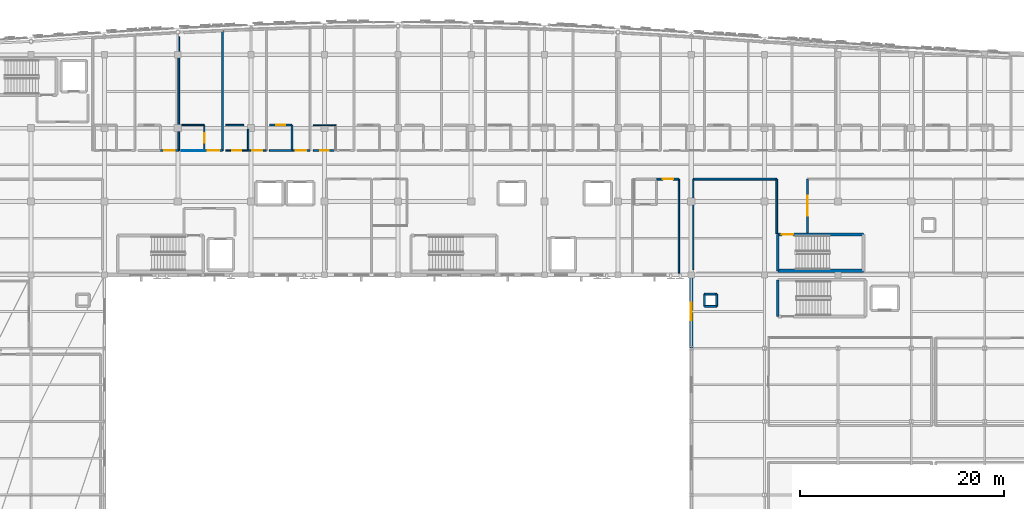
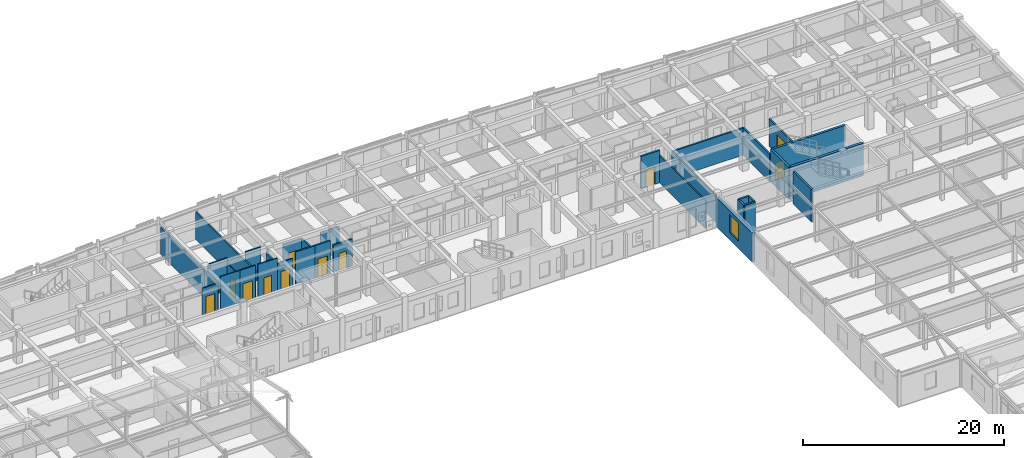
# One storey, part 94 of 113: 32 walls, 11 doors, 1 window, 12 openings.
"""IFC4 building model written with IfcOpenShell, lengths in metres."""

from ifc_helpers import new_model, si_unit, direction, frame, frame_2d, origin, place, context, subcontext, project, spatial, rectangle, extrude, material, layer, layer_set, type_object, element, fill, save


model = new_model("IFC4")

# Units and contexts
model_context = context("Model", 3, precision=1e-05, world=origin(), true_north=direction((0.0, 1.0)))
body_context = subcontext(model_context, "Body", "Model", "MODEL_VIEW")
ifc_project = project(units=[si_unit("LENGTHUNIT", "METRE"), si_unit("AREAUNIT", "SQUARE_METRE"), si_unit("VOLUMEUNIT", "CUBIC_METRE"), si_unit("PLANEANGLEUNIT", "RADIAN"), si_unit("MASSUNIT", "GRAM", prefix="KILO")], contexts=[model_context])

# Site, building, storey
site_placement = place(None, origin())
site = spatial("IfcSite", under=ifc_project, at=site_placement, CompositionType="ELEMENT")
building_placement = place(site_placement, origin())
building = spatial("IfcBuilding", under=site, at=building_placement, Name="Carrowvane Square Congress Hotel", CompositionType="ELEMENT")
storey_placement = place(building_placement, frame((0.0, 0.0, 15.0)))
storey = spatial("IfcBuildingStorey", under=building, at=storey_placement, Name="L03", CompositionType="ELEMENT", Elevation=15.0)

# Wall, opening, window
ifc_material_1 = material(Name="Glazed terracotta rainscreen", Category="masonry")
ifc_layer_1 = layer(ifc_material_1, 0.360107421875)
ifc_layer_set_1 = layer_set([ifc_layer_1], Name="Glazed terracotta rainscreen")
wall_type_1 = type_object("IfcWallType", Name="WL-EXT-TC360", PredefinedType="STANDARD", material=ifc_layer_set_1)
wall_1_placement = place(storey_placement, frame((126.800048828125, 84.60009765625, 0.0), z_axis=(0.0, 0.0, 1.0), x_axis=(0.0, 1.0, 0.0)))
wall_1 = element("IfcWall", 1, at=wall_1_placement, inside=storey, type_object=wall_type_1, Name="L03 exterior facade wall 390", PredefinedType="STANDARD", context=body_context, shape_type="SweptSolid", body=[
    extrude(rectangle(XDim=7.199951171875, YDim=0.360107421875, at=frame_2d((3.60009765625, 0.0))), origin(), (0.0, 0.0, 1.0), 3.515625),
])
opening_1_placement = place(wall_1_placement, frame((2.72509765625, 0.0, 0.89990234375)))
opening_1 = element("IfcOpeningElement", 2, at=opening_1_placement, cuts=wall_1, Name="Opening W-34", PredefinedType="OPENING", context=body_context, shape_type="SweptSolid", body=[
    extrude(rectangle(XDim=1.75, YDim=2.199951171875, at=frame_2d((0.875, 1.10009765625))), frame((0.0, 0.18994140625, 0.0), z_axis=(0.0, -1.0, 0.0), x_axis=(1.0, 0.0, 0.0)), (0.0, 0.0, 1.0), 0.380126953125),
])
ifc_material_2 = material(Name="Double-glazed low-E glass", Category="glass")
window_type = type_object("IfcWindowType", Name="WIN-34", PartitioningType="SINGLE_PANEL", PredefinedType="WINDOW", material=ifc_material_2)
window_placement = place(opening_1_placement, origin())
window = element("IfcWindow", 3, at=window_placement, inside=storey, type_object=window_type, Name="L03 facade window 211", OverallHeight=2.199951171875, OverallWidth=1.75, PartitioningType="SINGLE_PANEL", PredefinedType="WINDOW", context=body_context, shape_type="SweptSolid", body=[
    extrude(rectangle(XDim=1.75, YDim=2.199951171875, at=frame_2d((0.875, 1.10009765625))), frame((0.0, 0.030029296875, 0.0), z_axis=(0.0, -1.0, 0.0), x_axis=(1.0, 0.0, 0.0)), (0.0, 0.0, 1.0), 0.06005859375),
])
fill(opening_1, window)

# Wall, opening, door
ifc_material_3 = material(Name="Acoustic gypsum board", Category="gypsum")
ifc_layer_2 = layer(ifc_material_3, 0.155029296875)
ifc_layer_set_2 = layer_set([ifc_layer_2], Name="Acoustic gypsum board")
wall_type_2 = type_object("IfcWallType", Name="WL-FIR-155", PredefinedType="PARTITIONING", material=ifc_layer_set_2)
wall_2_placement = place(storey_placement, frame((138.2099609375, 95.929931640625, 0.0), z_axis=(0.0, 0.0, 1.0), x_axis=(0.0, 1.0, 0.0)))
wall_2 = element("IfcWall", 4, at=wall_2_placement, inside=storey, type_object=wall_type_2, Name="L03 L03 East Delegate Linen and Service Room partition", PredefinedType="PARTITIONING", context=body_context, shape_type="SweptSolid", body=[
    extrude(rectangle(XDim=5.27001953125, YDim=0.155029296875, at=frame_2d((2.635009765625, 0.0))), origin(), (0.0, 0.0, 1.0), 3.324951171875),
])
opening_2_placement = place(wall_2_placement, frame((1.659912109375, 0.0, 0.0)))
opening_2 = element("IfcOpeningElement", 5, at=opening_2_placement, cuts=wall_2, Name="Opening ID-14", PredefinedType="OPENING", context=body_context, shape_type="SweptSolid", body=[
    extrude(rectangle(XDim=1.949951171875, YDim=2.35009765625, at=frame_2d((0.97509765625, 1.175048828125))), frame((0.0, 0.08740234375, 0.0), z_axis=(0.0, -1.0, 0.0), x_axis=(1.0, 0.0, 0.0)), (0.0, 0.0, 1.0), 0.175048828125),
])
ifc_material_4 = material(Name="European oak timber", Category="wood")
door_type_1 = type_object("IfcDoorType", Name="DR-INT-1950x2350", OperationType="DOUBLE_DOOR_SINGLE_SWING", PredefinedType="DOOR", material=ifc_material_4)
door_1_placement = place(opening_2_placement, origin())
door_1 = element("IfcDoor", 6, at=door_1_placement, inside=storey, type_object=door_type_1, Name="L03 L03 East Delegate Linen and Service Room entrance door", OperationType="DOUBLE_DOOR_SINGLE_SWING", OverallHeight=2.35009765625, OverallWidth=1.949951171875, PredefinedType="DOOR", context=body_context, shape_type="SweptSolid", body=[
    extrude(rectangle(XDim=1.949951171875, YDim=2.35009765625, at=frame_2d((0.97509765625, 1.175048828125))), frame((0.0, 0.02490234375, 0.0), z_axis=(0.0, -1.0, 0.0), x_axis=(1.0, 0.0, 0.0)), (0.0, 0.0, 1.0), 0.050048828125),
])
fill(opening_2, door_1)

wall_3_placement = place(storey_placement, frame((80.7900390625, 104.0, 0.0), z_axis=(0.0, 0.0, 1.0), x_axis=(-1.0, 0.0, 0.0)))
wall_3 = element("IfcWall", 7, at=wall_3_placement, inside=storey, type_object=wall_type_2, Name="L03 Parkview Guest Bedroom 0307 partition", PredefinedType="PARTITIONING", context=body_context, shape_type="SweptSolid", body=[
    extrude(rectangle(XDim=1.780029296875, YDim=0.155029296875, at=frame_2d((0.89013671875, 0.0))), origin(), (0.0, 0.0, 1.0), 3.93994140625),
])
opening_3_placement = place(wall_3_placement, frame((0.330078125, 0.0, 0.0)))
opening_3 = element("IfcOpeningElement", 8, at=opening_3_placement, cuts=wall_3, Name="Opening FD-10", PredefinedType="OPENING", context=body_context, shape_type="SweptSolid", body=[
    extrude(rectangle(XDim=1.1201171875, YDim=2.199951171875, at=frame_2d((0.56005859375, 1.10009765625))), frame((0.0, 0.08740234375, 0.0), z_axis=(0.0, -1.0, 0.0), x_axis=(1.0, 0.0, 0.0)), (0.0, 0.0, 1.0), 0.175048828125),
])
ifc_material_5 = material(Name="European oak timber", Category="wood")
door_type_2 = type_object("IfcDoorType", Name="DR-FD30-1120x2200", OperationType="NOTDEFINED", PredefinedType="DOOR", material=ifc_material_5)
door_2_placement = place(opening_3_placement, origin())
door_2 = element("IfcDoor", 9, at=door_2_placement, inside=storey, type_object=door_type_2, Name="L03 Parkview Guest Bedroom 0307 entrance door", OperationType="SINGLE_SWING_RIGHT", OverallHeight=2.199951171875, OverallWidth=1.1201171875, PredefinedType="DOOR", context=body_context, shape_type="SweptSolid", body=[
    extrude(rectangle(XDim=1.1201171875, YDim=2.199951171875, at=frame_2d((0.56005859375, 1.10009765625))), frame((0.0, 0.02490234375, 0.0), z_axis=(0.0, -1.0, 0.0), x_axis=(1.0, 0.0, 0.0)), (0.0, 0.0, 1.0), 0.050048828125),
])
fill(opening_3, door_2)

# Walls
wall_4_placement = place(storey_placement, frame((87.60009765625, 104.0, 0.0), z_axis=(0.0, 0.0, 1.0), x_axis=(-1.0, 0.0, 0.0)))
element("IfcWall", 10, at=wall_4_placement, inside=storey, type_object=wall_type_2, Name="L03 En-suite Bathroom 0309 partition", PredefinedType="PARTITIONING", context=body_context, shape_type="SweptSolid", body=[
    extrude(rectangle(XDim=2.2001953125, YDim=0.155029296875, at=frame_2d((1.10009765625, 0.0))), origin(), (0.0, 0.0, 1.0), 3.93994140625),
])
ifc_material_6 = material(Name="Acoustic gypsum board", Category="gypsum")
ifc_layer_3 = layer(ifc_material_6, 0.169921875)
ifc_layer_set_3 = layer_set([ifc_layer_3], Name="Acoustic gypsum board")
wall_type_3 = type_object("IfcWallType", Name="WL-FIR-170", PredefinedType="PARTITIONING", material=ifc_layer_set_3)
wall_5_placement = place(storey_placement, frame((135.18994140625, 101.199951171875, 0.0), z_axis=(0.0, 0.0, 1.0), x_axis=(0.000636913569, -0.999999797171, 0.0)))
element("IfcWall", 11, at=wall_5_placement, inside=storey, type_object=wall_type_3, Name="L03 L03 East Delegate Linen and Service Room partition", PredefinedType="PARTITIONING", context=body_context, shape_type="SweptSolid", body=[
    extrude(rectangle(XDim=5.366455078125, YDim=0.169921875, at=frame_2d((2.68310546875, 0.0))), origin(), (0.0, 0.0, 1.0), 3.324951171875),
])

# Wall, opening, door
wall_6_placement = place(storey_placement, frame((76.489990234375, 104.0, 0.0), z_axis=(0.0, 0.0, 1.0), x_axis=(-1.0, 0.0, 0.0)))
wall_6 = element("IfcWall", 12, at=wall_6_placement, inside=storey, type_object=wall_type_3, Name="L03 Parkview Guest Bedroom 0306 partition", PredefinedType="PARTITIONING", context=body_context, shape_type="SweptSolid", body=[
    extrude(rectangle(XDim=1.780029296875, YDim=0.169921875, at=frame_2d((0.89013671875, 0.0))), origin(), (0.0, 0.0, 1.0), 3.27490234375),
])
opening_4_placement = place(wall_6_placement, frame((0.3798828125, 0.0, 0.0)))
opening_4 = element("IfcOpeningElement", 13, at=opening_4_placement, cuts=wall_6, Name="Opening FD-08", PredefinedType="OPENING", context=body_context, shape_type="SweptSolid", body=[
    extrude(rectangle(XDim=1.02001953125, YDim=2.14990234375, at=frame_2d((0.510009765625, 1.074951171875))), frame((0.0, 0.094970703125, 0.0), z_axis=(0.0, -1.0, 0.0), x_axis=(1.0, 0.0, 0.0)), (0.0, 0.0, 1.0), 0.18994140625),
])
ifc_material_7 = material(Name="European oak timber", Category="wood")
door_type_3 = type_object("IfcDoorType", Name="DR-FD30-1020x2150", OperationType="NOTDEFINED", PredefinedType="DOOR", material=ifc_material_7)
door_3_placement = place(opening_4_placement, origin())
door_3 = element("IfcDoor", 14, at=door_3_placement, inside=storey, type_object=door_type_3, Name="L03 Parkview Guest Bedroom 0306 entrance door", OperationType="SINGLE_SWING_RIGHT", OverallHeight=2.14990234375, OverallWidth=1.02001953125, PredefinedType="DOOR", context=body_context, shape_type="SweptSolid", body=[
    extrude(rectangle(XDim=1.02001953125, YDim=2.14990234375, at=frame_2d((0.510009765625, 1.074951171875))), frame((0.0, 0.02490234375, 0.0), z_axis=(0.0, -1.0, 0.0), x_axis=(1.0, 0.0, 0.0)), (0.0, 0.0, 1.0), 0.050048828125),
])
fill(opening_4, door_3)

# Walls
wall_7_placement = place(storey_placement, frame((80.7900390625, 115.759033203125, 0.0), z_axis=(0.0, 0.0, 1.0), x_axis=(0.0, -1.0, 0.0)))
element("IfcWall", 15, at=wall_7_placement, inside=storey, type_object=wall_type_3, Name="L03 Parkview Guest Bedroom 0307 partition", PredefinedType="PARTITIONING", context=body_context, shape_type="SweptSolid", body=[
    extrude(rectangle(XDim=11.759033203125, YDim=0.169921875, at=frame_2d((5.87939453125, 0.0))), origin(), (0.0, 0.0, 1.0), 3.324951171875),
])
wall_8_placement = place(storey_placement, frame((87.60009765625, 106.5, 0.0), z_axis=(0.0, 0.0, 1.0), x_axis=(0.0, -1.0, 0.0)))
element("IfcWall", 16, at=wall_8_placement, inside=storey, type_object=wall_type_3, Name="L03 En-suite Bathroom 0309 partition", PredefinedType="PARTITIONING", context=body_context, shape_type="SweptSolid", body=[
    extrude(rectangle(XDim=2.5, YDim=0.169921875, at=frame_2d((1.25, 0.0))), origin(), (0.0, 0.0, 1.0), 3.324951171875),
])
ifc_material_8 = material(Name="Acoustic gypsum board", Category="gypsum")
ifc_layer_4 = layer(ifc_material_8, 0.18505859375)
ifc_layer_set_4 = layer_set([ifc_layer_4], Name="Acoustic gypsum board")
wall_type_4 = type_object("IfcWallType", Name="WL-FIR-185", PredefinedType="PARTITIONING", material=ifc_layer_set_4)
wall_9_placement = place(storey_placement, frame((127.0, 101.199951171875, 0.0), z_axis=(0.0, 0.0, 1.0), x_axis=(1.0, 0.0, 0.0)))
element("IfcWall", 17, at=wall_9_placement, inside=storey, type_object=wall_type_4, Name="L03 L03 East Delegate Linen and Service Room partition", PredefinedType="PARTITIONING", context=body_context, shape_type="SweptSolid", body=[
    extrude(rectangle(XDim=8.18994140625, YDim=0.18505859375, at=frame_2d((4.094970703125, 0.0))), origin(), (0.0, 0.0, 1.0), 3.27490234375),
])

# Wall, opening, door
wall_10_placement = place(storey_placement, frame((123.409912109375, 101.199951171875, 0.0), z_axis=(0.0, 0.0, 1.0), x_axis=(1.0, 0.0, 0.0)))
wall_10 = element("IfcWall", 18, at=wall_10_placement, inside=storey, type_object=wall_type_4, Name="L03 Hotel Guest Bedroom 0301 partition", PredefinedType="PARTITIONING", context=body_context, shape_type="SweptSolid", body=[
    extrude(rectangle(XDim=2.18017578125, YDim=0.18505859375, at=frame_2d((1.090087890625, 0.0))), origin(), (0.0, 0.0, 1.0), 3.93994140625),
])
opening_5_placement = place(wall_10_placement, frame((0.580078125, 0.0, 0.0)))
opening_5 = element("IfcOpeningElement", 19, at=opening_5_placement, cuts=wall_10, Name="Opening FD-08", PredefinedType="OPENING", context=body_context, shape_type="SweptSolid", body=[
    extrude(rectangle(XDim=1.02001953125, YDim=2.14990234375, at=frame_2d((0.510009765625, 1.074951171875))), frame((0.0, 0.1025390625, 0.0), z_axis=(0.0, -1.0, 0.0), x_axis=(1.0, 0.0, 0.0)), (0.0, 0.0, 1.0), 0.205078125),
])
door_4_placement = place(opening_5_placement, origin())
door_4 = element("IfcDoor", 20, at=door_4_placement, inside=storey, type_object=door_type_3, Name="L03 Hotel Guest Bedroom 0301 entrance door", OperationType="SINGLE_SWING_RIGHT", OverallHeight=2.14990234375, OverallWidth=1.02001953125, PredefinedType="DOOR", context=body_context, shape_type="SweptSolid", body=[
    extrude(rectangle(XDim=1.02001953125, YDim=2.14990234375, at=frame_2d((0.510009765625, 1.074951171875))), frame((0.0, 0.02490234375, 0.0), z_axis=(0.0, -1.0, 0.0), x_axis=(1.0, 0.0, 0.0)), (0.0, 0.0, 1.0), 0.050048828125),
])
fill(opening_5, door_4)

# Wall
wall_11_placement = place(storey_placement, frame((76.489990234375, 115.192138671875, 0.0), z_axis=(0.0, 0.0, 1.0), x_axis=(0.0, -1.0, 0.0)))
element("IfcWall", 21, at=wall_11_placement, inside=storey, type_object=wall_type_4, Name="L03 Parkview Guest Bedroom 0306 partition", PredefinedType="PARTITIONING", context=body_context, shape_type="SweptSolid", body=[
    extrude(rectangle(XDim=11.192138671875, YDim=0.18505859375, at=frame_2d((5.59619140625, 0.0))), origin(), (0.0, 0.0, 1.0), 3.27490234375),
])

# Wall, opening, door
wall_12_placement = place(storey_placement, frame((85.39990234375, 106.5, 0.0), z_axis=(0.0, 0.0, 1.0), x_axis=(1.0, 0.0, 0.0)))
wall_12 = element("IfcWall", 22, at=wall_12_placement, inside=storey, type_object=wall_type_4, Name="L03 En-suite Bathroom 0309 partition", PredefinedType="PARTITIONING", context=body_context, shape_type="SweptSolid", body=[
    extrude(rectangle(XDim=2.2001953125, YDim=0.18505859375, at=frame_2d((1.10009765625, 0.0))), origin(), (0.0, 0.0, 1.0), 3.324951171875),
])
opening_6_placement = place(wall_12_placement, frame((0.64501953125, 0.0, 0.0)))
opening_6 = element("IfcOpeningElement", 23, at=opening_6_placement, cuts=wall_12, Name="Opening ID-17", PredefinedType="OPENING", context=body_context, shape_type="SweptSolid", body=[
    extrude(rectangle(XDim=0.909912109375, YDim=2.110107421875, at=frame_2d((0.455078125, 1.05517578125))), frame((0.0, 0.1025390625, 0.0), z_axis=(0.0, -1.0, 0.0), x_axis=(1.0, 0.0, 0.0)), (0.0, 0.0, 1.0), 0.205078125),
])
ifc_material_9 = material(Name="European oak timber", Category="wood")
door_type_4 = type_object("IfcDoorType", Name="DR-INT-0910x2110", OperationType="NOTDEFINED", PredefinedType="DOOR", material=ifc_material_9)
door_5_placement = place(opening_6_placement, origin())
door_5 = element("IfcDoor", 24, at=door_5_placement, inside=storey, type_object=door_type_4, Name="L03 En-suite Bathroom 0309 door", OperationType="SINGLE_SWING_LEFT", OverallHeight=2.110107421875, OverallWidth=0.909912109375, PredefinedType="DOOR", context=body_context, shape_type="SweptSolid", body=[
    extrude(rectangle(XDim=0.909912109375, YDim=2.110107421875, at=frame_2d((0.455078125, 1.05517578125))), frame((0.0, 0.02490234375, 0.0), z_axis=(0.0, -1.0, 0.0), x_axis=(1.0, 0.0, 0.0)), (0.0, 0.0, 1.0), 0.050048828125),
])
fill(opening_6, door_5)

wall_13_placement = place(storey_placement, frame((89.389892578125, 104.0, 0.0), z_axis=(0.0, 0.0, 1.0), x_axis=(-1.0, 0.0, 0.0)))
wall_13 = element("IfcWall", 25, at=wall_13_placement, inside=storey, type_object=wall_type_4, Name="L03 Parkview Guest Bedroom 0309 partition", PredefinedType="PARTITIONING", context=body_context, shape_type="SweptSolid", body=[
    extrude(rectangle(XDim=1.77978515625, YDim=0.18505859375, at=frame_2d((0.889892578125, 0.0))), origin(), (0.0, 0.0, 1.0), 3.93994140625),
])
opening_7_placement = place(wall_13_placement, frame((0.360107421875, 0.0, 0.0)))
opening_7 = element("IfcOpeningElement", 26, at=opening_7_placement, cuts=wall_13, Name="Opening FD-09", PredefinedType="OPENING", context=body_context, shape_type="SweptSolid", body=[
    extrude(rectangle(XDim=1.06005859375, YDim=2.199951171875, at=frame_2d((0.530029296875, 1.10009765625))), frame((0.0, 0.1025390625, 0.0), z_axis=(0.0, -1.0, 0.0), x_axis=(1.0, 0.0, 0.0)), (0.0, 0.0, 1.0), 0.205078125),
])
ifc_material_10 = material(Name="European oak timber", Category="wood")
door_type_5 = type_object("IfcDoorType", Name="DR-FD30-1060x2200", OperationType="NOTDEFINED", PredefinedType="DOOR", material=ifc_material_10)
door_6_placement = place(opening_7_placement, origin())
door_6 = element("IfcDoor", 27, at=door_6_placement, inside=storey, type_object=door_type_5, Name="L03 Parkview Guest Bedroom 0309 entrance door", OperationType="SINGLE_SWING_RIGHT", OverallHeight=2.199951171875, OverallWidth=1.06005859375, PredefinedType="DOOR", context=body_context, shape_type="SweptSolid", body=[
    extrude(rectangle(XDim=1.06005859375, YDim=2.199951171875, at=frame_2d((0.530029296875, 1.10009765625))), frame((0.0, 0.02490234375, 0.0), z_axis=(0.0, -1.0, 0.0), x_axis=(1.0, 0.0, 0.0)), (0.0, 0.0, 1.0), 0.050048828125),
])
fill(opening_7, door_6)

wall_14_placement = place(storey_placement, frame((91.89990234375, 104.0, 0.0), z_axis=(0.0, 0.0, 1.0), x_axis=(-1.0, 0.0, 0.0)))
wall_14 = element("IfcWall", 28, at=wall_14_placement, inside=storey, type_object=wall_type_4, Name="L03 En-suite Bathroom 0310 partition", PredefinedType="PARTITIONING", context=body_context, shape_type="SweptSolid", body=[
    extrude(rectangle(XDim=2.199951171875, YDim=0.18505859375, at=frame_2d((1.10009765625, 0.0))), origin(), (0.0, 0.0, 1.0), 3.27490234375),
])
opening_8_placement = place(wall_14_placement, frame((0.659912109375, 0.0, 0.0)))
opening_8 = element("IfcOpeningElement", 29, at=opening_8_placement, cuts=wall_14, Name="Opening ID-01", PredefinedType="OPENING", context=body_context, shape_type="SweptSolid", body=[
    extrude(rectangle(XDim=0.8798828125, YDim=2.06005859375, at=frame_2d((0.43994140625, 1.030029296875))), frame((0.0, 0.1025390625, 0.0), z_axis=(0.0, -1.0, 0.0), x_axis=(1.0, 0.0, 0.0)), (0.0, 0.0, 1.0), 0.205078125),
])
ifc_material_11 = material(Name="European oak timber", Category="wood")
door_type_6 = type_object("IfcDoorType", Name="DR-INT-0880x2060", OperationType="NOTDEFINED", PredefinedType="DOOR", material=ifc_material_11)
door_7_placement = place(opening_8_placement, origin())
door_7 = element("IfcDoor", 30, at=door_7_placement, inside=storey, type_object=door_type_6, Name="L03 En-suite Bathroom 0310 door", OperationType="SINGLE_SWING_LEFT", OverallHeight=2.06005859375, OverallWidth=0.8798828125, PredefinedType="DOOR", context=body_context, shape_type="SweptSolid", body=[
    extrude(rectangle(XDim=0.8798828125, YDim=2.06005859375, at=frame_2d((0.43994140625, 1.030029296875))), frame((0.0, 0.02490234375, 0.0), z_axis=(0.0, -1.0, 0.0), x_axis=(1.0, 0.0, 0.0)), (0.0, 0.0, 1.0), 0.050048828125),
])
fill(opening_8, door_7)

# Walls
ifc_material_12 = material(Name="Standing-seam zinc cladding", Category="metal")
ifc_layer_5 = layer(ifc_material_12, 0.195068359375)
ifc_layer_set_5 = layer_set([ifc_layer_5], Name="Standing-seam zinc cladding")
wall_type_5 = type_object("IfcWallType", Name="WL-PAR-195", PredefinedType="PARAPET", material=ifc_layer_set_5)
for number, where, z_axis, x_axis, name in (
    (31, (128.10009765625, 88.699951171875, 0.0), (0.0, 0.0, 1.0), (1.0, 0.0, 0.0), "L03 service riser RSR-V3 enclosure S"),
    (32, (129.300048828125, 88.699951171875, 0.0), (0.0, 0.0, 1.0), (0.0, 1.0, 0.0), "L03 service riser RSR-V3 enclosure E"),
    (33, (129.300048828125, 89.89990234375, 0.0), (0.0, 0.0, 1.0), (-1.0, 0.0, 0.0), "L03 service riser RSR-V3 enclosure N"),
    (34, (128.10009765625, 89.89990234375, 0.0), (0.0, 0.0, 1.0), (0.0, -1.0, 0.0), "L03 service riser RSR-V3 enclosure W"),
):
    element("IfcWall", number, at=place(storey_placement, frame(where, z_axis=z_axis, x_axis=x_axis)), inside=storey, type_object=wall_type_5, Name=name, PredefinedType="PARAPET", context=body_context, shape_type="SweptSolid", body=[
        extrude(rectangle(XDim=1.199951171875, YDim=0.195068359375, at=frame_2d((0.60009765625, 0.0))), origin(), (0.0, 0.0, 1.0), 3.93994140625),
    ])
ifc_material_13 = material(Name="Acoustic gypsum board", Category="gypsum")
ifc_layer_6 = layer(ifc_material_13, 0.097900390625)
ifc_layer_set_6 = layer_set([ifc_layer_6], Name="Acoustic gypsum board")
wall_type_6 = type_object("IfcWallType", Name="WL-PRT-098", PredefinedType="PARTITIONING", material=ifc_layer_set_6)
wall_15_placement = place(storey_placement, frame((79.0, 104.0, 0.0), z_axis=(0.0, 0.0, 1.0), x_axis=(-1.0, 0.0, 0.0)))
element("IfcWall", 35, at=wall_15_placement, inside=storey, type_object=wall_type_6, Name="L03 En-suite Bathroom 0307 partition", PredefinedType="PARTITIONING", context=body_context, shape_type="SweptSolid", body=[
    extrude(rectangle(XDim=2.199951171875, YDim=0.097900390625, at=frame_2d((1.10009765625, 0.0))), origin(), (0.0, 0.0, 1.0), 3.93994140625),
])

# Wall, opening, door
ifc_material_14 = material(Name="Acoustic gypsum board", Category="gypsum")
ifc_layer_7 = layer(ifc_material_14, 0.10791015625)
ifc_layer_set_7 = layer_set([ifc_layer_7], Name="Acoustic gypsum board")
wall_type_7 = type_object("IfcWallType", Name="WL-PRT-108", PredefinedType="PARTITIONING", material=ifc_layer_set_7)
wall_16_placement = place(storey_placement, frame((79.0, 106.5, 0.0), z_axis=(0.0, 0.0, 1.0), x_axis=(0.0, -1.0, 0.0)))
wall_16 = element("IfcWall", 36, at=wall_16_placement, inside=storey, type_object=wall_type_7, Name="L03 En-suite Bathroom 0307 partition", PredefinedType="PARTITIONING", context=body_context, shape_type="SweptSolid", body=[
    extrude(rectangle(XDim=2.5, YDim=0.10791015625, at=frame_2d((1.25, 0.0))), origin(), (0.0, 0.0, 1.0), 3.324951171875),
])
opening_9_placement = place(wall_16_placement, frame((0.780029296875, 0.0, 0.0)))
opening_9 = element("IfcOpeningElement", 37, at=opening_9_placement, cuts=wall_16, Name="Opening ID-04", PredefinedType="OPENING", context=body_context, shape_type="SweptSolid", body=[
    extrude(rectangle(XDim=0.93994140625, YDim=2.1201171875, at=frame_2d((0.469970703125, 1.06005859375))), frame((0.0, 0.06396484375, 0.0), z_axis=(0.0, -1.0, 0.0), x_axis=(1.0, 0.0, 0.0)), (0.0, 0.0, 1.0), 0.1279296875),
])
ifc_material_15 = material(Name="European oak timber", Category="wood")
door_type_7 = type_object("IfcDoorType", Name="DR-INT-0940x2120", OperationType="NOTDEFINED", PredefinedType="DOOR", material=ifc_material_15)
door_8_placement = place(opening_9_placement, origin())
door_8 = element("IfcDoor", 38, at=door_8_placement, inside=storey, type_object=door_type_7, Name="L03 En-suite Bathroom 0307 door", OperationType="SINGLE_SWING_LEFT", OverallHeight=2.1201171875, OverallWidth=0.93994140625, PredefinedType="DOOR", context=body_context, shape_type="SweptSolid", body=[
    extrude(rectangle(XDim=0.93994140625, YDim=2.1201171875, at=frame_2d((0.469970703125, 1.06005859375))), frame((0.0, 0.02490234375, 0.0), z_axis=(0.0, -1.0, 0.0), x_axis=(1.0, 0.0, 0.0)), (0.0, 0.0, 1.0), 0.050048828125),
])
fill(opening_9, door_8)

# Walls
wall_17_placement = place(storey_placement, frame((89.699951171875, 106.5, 0.0), z_axis=(0.0, 0.0, 1.0), x_axis=(1.0, 0.0, 0.0)))
element("IfcWall", 39, at=wall_17_placement, inside=storey, type_object=wall_type_7, Name="L03 En-suite Bathroom 0310 partition", PredefinedType="PARTITIONING", context=body_context, shape_type="SweptSolid", body=[
    extrude(rectangle(XDim=2.199951171875, YDim=0.10791015625, at=frame_2d((1.10009765625, 0.0))), origin(), (0.0, 0.0, 1.0), 3.27490234375),
])
ifc_material_16 = material(Name="Acoustic gypsum board", Category="gypsum")
ifc_layer_8 = layer(ifc_material_16, 0.117919921875)
ifc_layer_set_8 = layer_set([ifc_layer_8], Name="Acoustic gypsum board")
wall_type_8 = type_object("IfcWallType", Name="WL-PRT-118", PredefinedType="PARTITIONING", material=ifc_layer_set_8)
wall_18_placement = place(storey_placement, frame((76.800048828125, 106.5, 0.0), z_axis=(0.0, 0.0, 1.0), x_axis=(1.0, 0.0, 0.0)))
element("IfcWall", 40, at=wall_18_placement, inside=storey, type_object=wall_type_8, Name="L03 En-suite Bathroom 0307 partition", PredefinedType="PARTITIONING", context=body_context, shape_type="SweptSolid", body=[
    extrude(rectangle(XDim=2.199951171875, YDim=0.117919921875, at=frame_2d((1.10009765625, 0.0))), origin(), (0.0, 0.0, 1.0), 3.93994140625),
])

# Wall, opening, door
ifc_material_17 = material(Name="Acoustic gypsum board", Category="gypsum")
ifc_layer_9 = layer(ifc_material_17, 0.1279296875)
ifc_layer_set_9 = layer_set([ifc_layer_9], Name="Acoustic gypsum board")
wall_type_9 = type_object("IfcWallType", Name="WL-PRT-128", PredefinedType="PARTITIONING", material=ifc_layer_set_9)
wall_19_placement = place(storey_placement, frame((83.300048828125, 104.0, 0.0), z_axis=(0.0, 0.0, 1.0), x_axis=(-1.0, 0.0, 0.0)))
wall_19 = element("IfcWall", 41, at=wall_19_placement, inside=storey, type_object=wall_type_9, Name="L03 En-suite Bathroom 0308 partition", PredefinedType="PARTITIONING", context=body_context, shape_type="SweptSolid", body=[
    extrude(rectangle(XDim=2.199951171875, YDim=0.1279296875, at=frame_2d((1.10009765625, 0.0))), origin(), (0.0, 0.0, 1.0), 3.93994140625),
])
opening_10_placement = place(wall_19_placement, frame((0.6650390625, 0.0, 0.0)))
opening_10 = element("IfcOpeningElement", 42, at=opening_10_placement, cuts=wall_19, Name="Opening ID-15", PredefinedType="OPENING", context=body_context, shape_type="SweptSolid", body=[
    extrude(rectangle(XDim=0.8701171875, YDim=2.070068359375, at=frame_2d((0.43505859375, 1.03515625))), frame((0.0, 0.073974609375, 0.0), z_axis=(0.0, -1.0, 0.0), x_axis=(1.0, 0.0, 0.0)), (0.0, 0.0, 1.0), 0.14794921875),
])
ifc_material_18 = material(Name="European oak timber", Category="wood")
door_type_8 = type_object("IfcDoorType", Name="DR-INT-0870x2070", OperationType="NOTDEFINED", PredefinedType="DOOR", material=ifc_material_18)
door_9_placement = place(opening_10_placement, origin())
door_9 = element("IfcDoor", 43, at=door_9_placement, inside=storey, type_object=door_type_8, Name="L03 En-suite Bathroom 0308 door", OperationType="SINGLE_SWING_LEFT", OverallHeight=2.070068359375, OverallWidth=0.8701171875, PredefinedType="DOOR", context=body_context, shape_type="SweptSolid", body=[
    extrude(rectangle(XDim=0.8701171875, YDim=2.070068359375, at=frame_2d((0.43505859375, 1.03515625))), frame((0.0, 0.02490234375, 0.0), z_axis=(0.0, -1.0, 0.0), x_axis=(1.0, 0.0, 0.0)), (0.0, 0.0, 1.0), 0.050048828125),
])
fill(opening_10, door_9)

# Walls
ifc_material_19 = material(Name="Acoustic gypsum board", Category="gypsum")
ifc_layer_10 = layer(ifc_material_19, 0.137939453125)
ifc_layer_set_10 = layer_set([ifc_layer_10], Name="Acoustic gypsum board")
wall_type_10 = type_object("IfcWallType", Name="WL-PRT-138", PredefinedType="PARTITIONING", material=ifc_layer_set_10)
wall_20_placement = place(storey_placement, frame((127.0, 92.320068359375, 0.0), z_axis=(0.0, 0.0, 1.0), x_axis=(0.0, 1.0, 0.0)))
element("IfcWall", 44, at=wall_20_placement, inside=storey, type_object=wall_type_10, Name="L03 L03 East Delegate Linen and Service Room partition", PredefinedType="PARTITIONING", context=body_context, shape_type="SweptSolid", body=[
    extrude(rectangle(XDim=8.8798828125, YDim=0.137939453125, at=frame_2d((4.43994140625, 0.0))), origin(), (0.0, 0.0, 1.0), 3.27490234375),
])
wall_21_placement = place(storey_placement, frame((83.300048828125, 106.090087890625, 0.0), z_axis=(0.0, 0.0, 1.0), x_axis=(0.0, -1.0, 0.0)))
element("IfcWall", 45, at=wall_21_placement, inside=storey, type_object=wall_type_10, Name="L03 En-suite Bathroom 0308 partition", PredefinedType="PARTITIONING", context=body_context, shape_type="SweptSolid", body=[
    extrude(rectangle(XDim=2.090087890625, YDim=0.137939453125, at=frame_2d((1.044921875, 0.0))), origin(), (0.0, 0.0, 1.0), 3.27490234375),
])
ifc_material_20 = material(Name="Acoustic gypsum board", Category="gypsum")
ifc_layer_11 = layer(ifc_material_20, 0.14794921875)
ifc_layer_set_11 = layer_set([ifc_layer_11], Name="Acoustic gypsum board")
wall_type_11 = type_object("IfcWallType", Name="WL-PRT-148", PredefinedType="PARTITIONING", material=ifc_layer_set_11)
wall_22_placement = place(storey_placement, frame((125.590087890625, 101.199951171875, 0.0), z_axis=(0.0, 0.0, 1.0), x_axis=(0.0, -1.0, 0.0)))
element("IfcWall", 46, at=wall_22_placement, inside=storey, type_object=wall_type_11, Name="L03 Hotel Guest Bedroom 0301 partition", PredefinedType="PARTITIONING", context=body_context, shape_type="SweptSolid", body=[
    extrude(rectangle(XDim=9.239990234375, YDim=0.14794921875, at=frame_2d((4.6201171875, 0.0))), origin(), (0.0, 0.0, 1.0), 3.324951171875),
])
wall_23_placement = place(storey_placement, frame((81.10009765625, 106.5, 0.0), z_axis=(0.0, 0.0, 1.0), x_axis=(1.0, 0.0, 0.0)))
element("IfcWall", 47, at=wall_23_placement, inside=storey, type_object=wall_type_11, Name="L03 En-suite Bathroom 0308 partition", PredefinedType="PARTITIONING", context=body_context, shape_type="SweptSolid", body=[
    extrude(rectangle(XDim=1.789794921875, YDim=0.14794921875, at=frame_2d((0.89501953125, 0.0))), origin(), (0.0, 0.0, 1.0), 3.93994140625),
])

# Wall, opening, door
wall_24_placement = place(storey_placement, frame((85.090087890625, 104.0, 0.0), z_axis=(0.0, 0.0, 1.0), x_axis=(-1.0, 0.0, 0.0)))
wall_24 = element("IfcWall", 48, at=wall_24_placement, inside=storey, type_object=wall_type_11, Name="L03 Parkview Guest Bedroom 0308 partition", PredefinedType="PARTITIONING", context=body_context, shape_type="SweptSolid", body=[
    extrude(rectangle(XDim=1.780029296875, YDim=0.14794921875, at=frame_2d((0.89013671875, 0.0))), origin(), (0.0, 0.0, 1.0), 3.27490234375),
])
opening_11_placement = place(wall_24_placement, frame((0.39990234375, 0.0, 0.0)))
opening_11 = element("IfcOpeningElement", 49, at=opening_11_placement, cuts=wall_24, Name="Opening FD-07", PredefinedType="OPENING", context=body_context, shape_type="SweptSolid", body=[
    extrude(rectangle(XDim=0.97998046875, YDim=2.14990234375, at=frame_2d((0.489990234375, 1.074951171875))), frame((0.0, 0.083984375, 0.0), z_axis=(0.0, -1.0, 0.0), x_axis=(1.0, 0.0, 0.0)), (0.0, 0.0, 1.0), 0.16796875),
])
ifc_material_21 = material(Name="European oak timber", Category="wood")
door_type_9 = type_object("IfcDoorType", Name="DR-FD30-0980x2150", OperationType="NOTDEFINED", PredefinedType="DOOR", material=ifc_material_21)
door_10_placement = place(opening_11_placement, origin())
door_10 = element("IfcDoor", 50, at=door_10_placement, inside=storey, type_object=door_type_9, Name="L03 Parkview Guest Bedroom 0308 entrance door", OperationType="SINGLE_SWING_RIGHT", OverallHeight=2.14990234375, OverallWidth=0.97998046875, PredefinedType="DOOR", context=body_context, shape_type="SweptSolid", body=[
    extrude(rectangle(XDim=0.97998046875, YDim=2.14990234375, at=frame_2d((0.489990234375, 1.074951171875))), frame((0.0, 0.02490234375, 0.0), z_axis=(0.0, -1.0, 0.0), x_axis=(1.0, 0.0, 0.0)), (0.0, 0.0, 1.0), 0.050048828125),
])
fill(opening_11, door_10)

# Walls
ifc_material_22 = material(Name="Concrete C40/50", Category="concrete")
ifc_layer_12 = layer(ifc_material_22, 0.22509765625)
ifc_layer_set_12 = layer_set([ifc_layer_12], Name="Concrete C40/50")
wall_type_12 = type_object("IfcWallType", Name="WL-SHR-225", PredefinedType="SHEAR", material=ifc_layer_set_12)
wall_25_placement = place(storey_placement, frame((135.300048828125, 91.300048828125, 0.0), z_axis=(0.0, 0.0, 1.0), x_axis=(0.0, -1.0, 0.0)))
element("IfcWall", 51, at=wall_25_placement, inside=storey, type_object=wall_type_12, Name="L03 ST8 core wall west", PredefinedType="SHEAR", context=body_context, shape_type="SweptSolid", body=[
    extrude(rectangle(XDim=3.60009765625, YDim=0.22509765625, at=frame_2d((1.800048828125, 0.0))), origin(), (0.0, 0.0, 1.0), 3.93994140625),
])
wall_26_placement = place(storey_placement, frame((135.300048828125, 95.760009765625, 0.0), z_axis=(0.0, 0.0, 1.0), x_axis=(0.0, -1.0, 0.0)))
element("IfcWall", 52, at=wall_26_placement, inside=storey, type_object=wall_type_12, Name="L03 ST12 core wall west", PredefinedType="SHEAR", context=body_context, shape_type="SweptSolid", body=[
    extrude(rectangle(XDim=3.56005859375, YDim=0.22509765625, at=frame_2d((1.780029296875, 0.0))), origin(), (0.0, 0.0, 1.0), 3.93994140625),
])

# Wall, opening, door
ifc_material_23 = material(Name="Concrete C40/50", Category="concrete")
ifc_layer_13 = layer(ifc_material_23, 0.25)
ifc_layer_set_13 = layer_set([ifc_layer_13], Name="Concrete C40/50")
wall_type_13 = type_object("IfcWallType", Name="WL-SHR-250", PredefinedType="SHEAR", material=ifc_layer_set_13)
wall_27_placement = place(storey_placement, frame((143.699951171875, 95.760009765625, 0.0), z_axis=(0.0, 0.0, 1.0), x_axis=(-1.0, 0.0, 0.0)))
wall_27 = element("IfcWall", 53, at=wall_27_placement, inside=storey, type_object=wall_type_13, Name="L03 ST12 core wall north", PredefinedType="SHEAR", context=body_context, shape_type="SweptSolid", body=[
    extrude(rectangle(XDim=8.39990234375, YDim=0.25, at=frame_2d((4.199951171875, 0.0))), origin(), (0.0, 0.0, 1.0), 3.93994140625),
])
opening_12_placement = place(wall_27_placement, frame((6.909912109375, 0.0, 0.0)))
opening_12 = element("IfcOpeningElement", 54, at=opening_12_placement, cuts=wall_27, Name="Opening FD-01", PredefinedType="OPENING", context=body_context, shape_type="SweptSolid", body=[
    extrude(rectangle(XDim=1.10009765625, YDim=2.10009765625, at=frame_2d((0.550048828125, 1.050048828125))), frame((0.0, 0.135009765625, 0.0), z_axis=(0.0, -1.0, 0.0), x_axis=(1.0, 0.0, 0.0)), (0.0, 0.0, 1.0), 0.27001953125),
])
ifc_material_24 = material(Name="European oak timber", Category="wood")
door_type_10 = type_object("IfcDoorType", Name="DR-FD60-1100x2100", OperationType="NOTDEFINED", PredefinedType="DOOR", material=ifc_material_24)
door_11_placement = place(opening_12_placement, origin())
door_11 = element("IfcDoor", 55, at=door_11_placement, inside=storey, type_object=door_type_10, Name="L03 ST12 fire door", OperationType="SINGLE_SWING_RIGHT", OverallHeight=2.10009765625, OverallWidth=1.10009765625, PredefinedType="DOOR", context=body_context, shape_type="SweptSolid", body=[
    extrude(rectangle(XDim=1.10009765625, YDim=2.10009765625, at=frame_2d((0.550048828125, 1.050048828125))), frame((0.0, 0.02490234375, 0.0), z_axis=(0.0, -1.0, 0.0), x_axis=(1.0, 0.0, 0.0)), (0.0, 0.0, 1.0), 0.050048828125),
])
fill(opening_12, door_11)

# Wall
ifc_material_25 = material(Name="Concrete C40/50", Category="concrete")
ifc_layer_14 = layer(ifc_material_25, 0.300048828125)
ifc_layer_set_14 = layer_set([ifc_layer_14], Name="Concrete C40/50")
wall_type_14 = type_object("IfcWallType", Name="WL-SHR-300", PredefinedType="SHEAR", material=ifc_layer_set_14)
wall_28_placement = place(storey_placement, frame((135.300048828125, 92.199951171875, 0.0), z_axis=(0.0, 0.0, 1.0), x_axis=(1.0, 0.0, 0.0)))
element("IfcWall", 56, at=wall_28_placement, inside=storey, type_object=wall_type_14, Name="L03 ST12 core wall south", PredefinedType="SHEAR", context=body_context, shape_type="SweptSolid", body=[
    extrude(rectangle(XDim=8.39990234375, YDim=0.300048828125, at=frame_2d((4.199951171875, 0.0))), origin(), (0.0, 0.0, 1.0), 3.93994140625),
])

save(model, "model.ifc")
